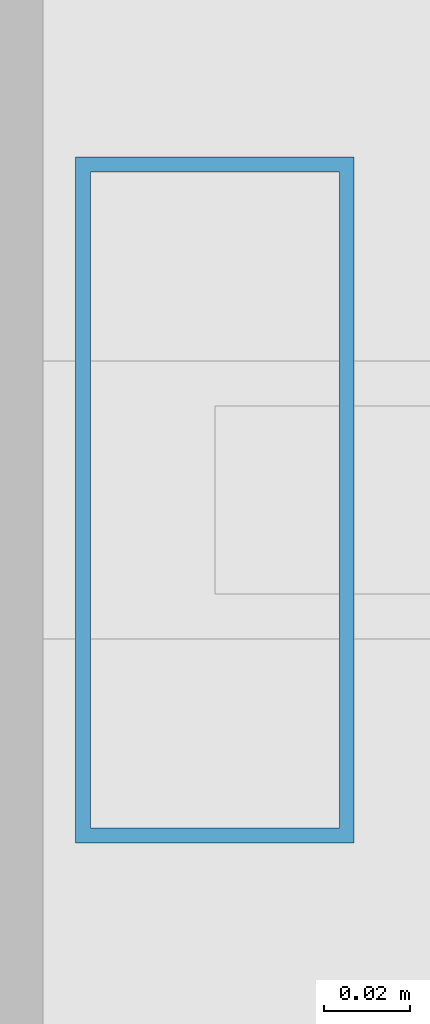
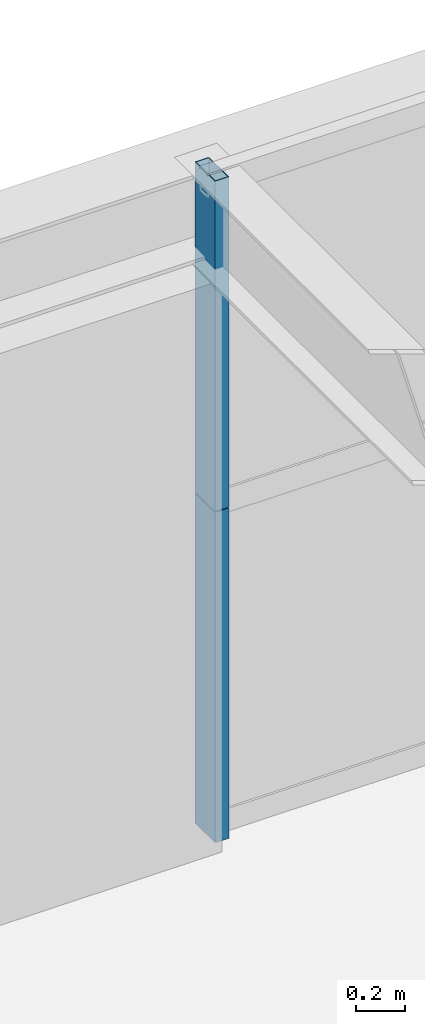
# One storey, part 24 of 37: 2 members, 1 element without a shape of its own.
"""IFC4 building model written with IfcOpenShell, lengths in metres."""

from ifc_helpers import new_model, si_unit, direction, frame, origin, origin_2d, place, context, subcontext, project, spatial, hollow_rectangle, extrude, source, transform, mapped, material, layer, layer_set, material_profile, profile_set, type_object, element, aggregate, save


model = new_model("IFC4")

# Units and contexts
model_context = context("Model", 3, precision=1e-05, world=origin(), true_north=direction((0.0, 1.0)))
body_context = subcontext(model_context, "Body", "Model", "MODEL_VIEW")
ifc_project = project(units=[si_unit("LENGTHUNIT", "METRE"), si_unit("AREAUNIT", "SQUARE_METRE"), si_unit("VOLUMEUNIT", "CUBIC_METRE"), si_unit("PLANEANGLEUNIT", "RADIAN"), si_unit("MASSUNIT", "GRAM", prefix="KILO"), si_unit("THERMODYNAMICTEMPERATUREUNIT", "KELVIN"), si_unit("POWERUNIT", "WATT")], contexts=[model_context])

# Site, building, storey
site_placement = place(None, origin())
site = spatial("IfcSite", under=ifc_project, at=site_placement, CompositionType="ELEMENT")
building_placement = place(site_placement, origin())
building = spatial("IfcBuilding", under=site, at=building_placement, Name="Yuzanri Waterfront Tower", CompositionType="ELEMENT")
storey_placement = place(building_placement, frame((0.0, 0.0, 278.60009765625)))
storey = spatial("IfcBuildingStorey", under=building, at=storey_placement, Name="L74", CompositionType="ELEMENT", Elevation=278.60009765625)

# Curtain wall, members
ifc_material_1 = material(Name="Anodized Architectural Bronze", Category="metal")
ifc_layer = layer(ifc_material_1, 0.159912109375)
ifc_layer_set = layer_set([ifc_layer], Name="Anodized Architectural Bronze")
curtain_wall_type = type_object("IfcCurtainWallType", Name="Anodized Bronze Mid-Rise Residential Acoustic Unitized Curtain Wall 7200", PredefinedType="NOTDEFINED", material=ifc_layer_set)
curtain_wall_placement = place(storey_placement, origin())
curtain_wall = element("IfcCurtainWall", 1, at=curtain_wall_placement, inside=storey, type_object=curtain_wall_type, Name="L74 Curtain Wall CW-L74-NL", PredefinedType="NOTDEFINED")
ifc_material_2 = material(Name="Anodized Architectural Bronze", Category="metal")
ifc_material_profile = material_profile(ifc_material_2, hollow_rectangle(XDim=0.06494140625, YDim=0.159912109375, WallThickness=0.00341796875, at=origin_2d()), Name="CWM 65x160")
ifc_profile_set = profile_set([ifc_material_profile], Name="Anodized Architectural Bronze")
member_type = type_object("IfcMemberType", Name="Anodized Bronze Upper-Zone Curtain-Wall Mullion 65x160", PredefinedType="MULLION", material=ifc_profile_set)
shared_shape = source(origin(), body_context, "Body", "SweptSolid", [
    extrude(hollow_rectangle(XDim=0.06494140625, YDim=0.159912109375, WallThickness=0.00341796875, at=origin_2d()), origin(), (0.0, 0.0, 1.0), 1.637939453125),
])
member_1_placement = place(storey_placement, frame((23.7900390625, 46.25, 0.0), z_axis=(0.0, 0.0, 1.0), x_axis=(1.0, 0.0, 0.0)))
member_1 = element("IfcMember", 2, at=member_1_placement, type_object=member_type, Name="CW-L74-NL Lower Mullion 00", PredefinedType="MULLION", context=body_context, shape_type="MappedRepresentation", body=[
    mapped(shared_shape, transform((0.0, 0.0, 0.0), scale=1.0)),
])
member_2_placement = place(storey_placement, frame((23.7900390625, 46.25, 1.641845703125), z_axis=(0.0, 0.0, 1.0), x_axis=(1.0, 0.0, 0.0)))
member_2 = element("IfcMember", 3, at=member_2_placement, type_object=member_type, Name="CW-L74-NL Upper Mullion 00", PredefinedType="MULLION", context=body_context, shape_type="MappedRepresentation", body=[
    mapped(shared_shape, transform((0.0, 0.0, 0.0), scale=1.0)),
])
aggregate(curtain_wall, [member_1, member_2])

save(model, "model.ifc")
